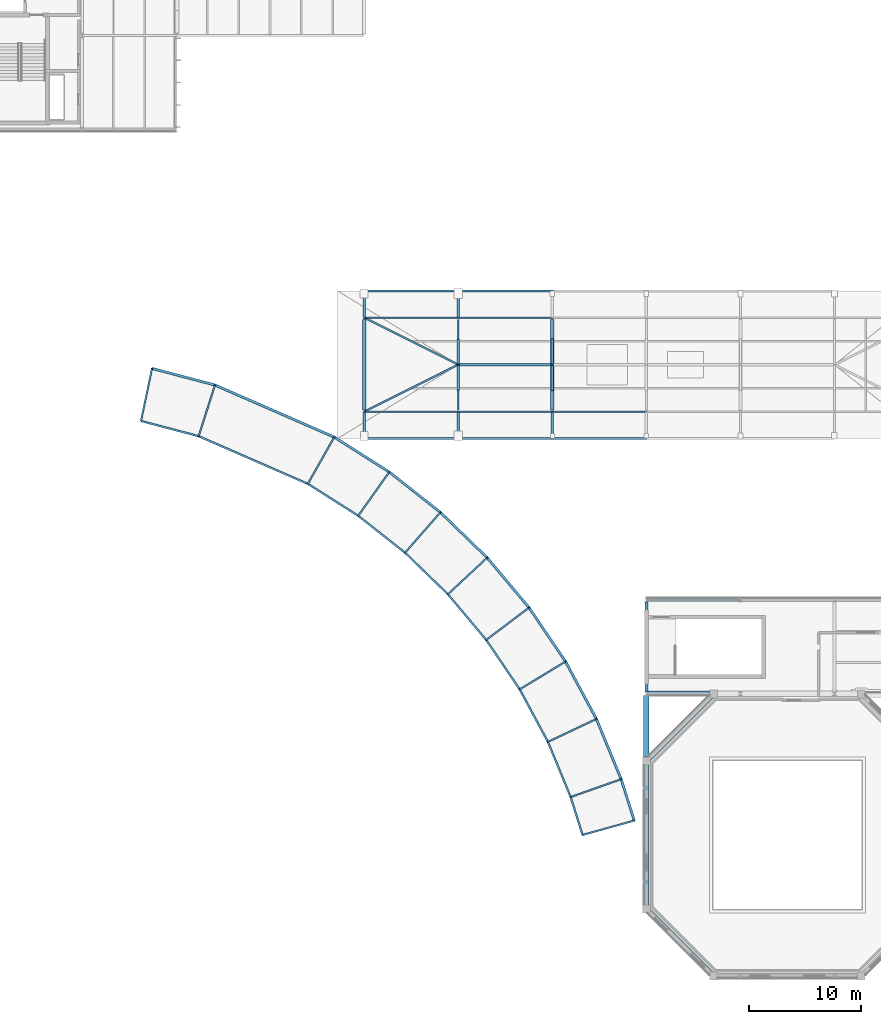
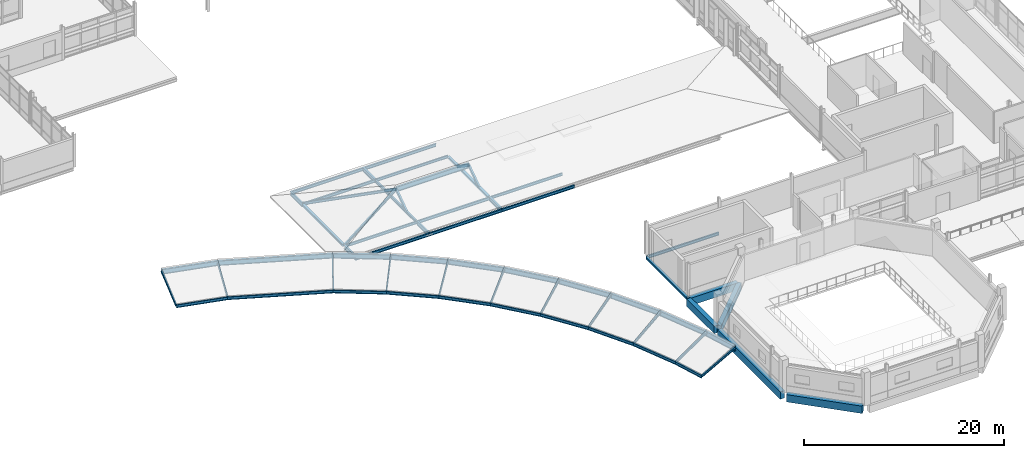
# One storey, part 14 of 151: 46 beams, 17 members.
"""IFC4 building model written with IfcOpenShell, lengths in metres."""

from ifc_helpers import new_model, si_unit, direction, frame, origin, origin_2d, place, context, subcontext, project, spatial, rectangle, hollow_rectangle, i_section, extrude, material, material_profile, profile_set, type_object, element, save


model = new_model("IFC4")

# Units and contexts
model_context = context("Model", 3, precision=1e-05, world=origin(), true_north=direction((0.0, 1.0)))
body_context = subcontext(model_context, "Body", "Model", "MODEL_VIEW")
ifc_project = project(units=[si_unit("LENGTHUNIT", "METRE"), si_unit("AREAUNIT", "SQUARE_METRE"), si_unit("VOLUMEUNIT", "CUBIC_METRE"), si_unit("PLANEANGLEUNIT", "RADIAN"), si_unit("MASSUNIT", "GRAM", prefix="KILO")], contexts=[model_context])

# Site, building, storey
site_placement = place(None, origin())
site = spatial("IfcSite", under=ifc_project, at=site_placement, CompositionType="ELEMENT")
building_placement = place(site_placement, origin())
building = spatial("IfcBuilding", under=site, at=building_placement, Name="Mersafa Astral City Hall", CompositionType="ELEMENT")
storey_placement = place(building_placement, frame((0.0, 0.0, 9.89990234375)))
storey = spatial("IfcBuildingStorey", under=building, at=storey_placement, Name="L02", CompositionType="ELEMENT", Elevation=9.89990234375)

# Beams
ifc_material_1 = material(Name="Concrete C40/50", Category="concrete")
ifc_material_profile_1 = material_profile(ifc_material_1, rectangle(XDim=0.5, YDim=0.89990234375, at=origin_2d()), Name="RC 500x900")
ifc_profile_set_1 = profile_set([ifc_material_profile_1], Name="Concrete C40/50")
beam_type_1 = type_object("IfcBeamType", Name="STR-BM-DRUM-RC500X900", PredefinedType="BEAM", material=ifc_profile_set_1)
beam_1_placement = place(storey_placement, frame((72.980712890625, 24.980712890625, -0.64990234375), z_axis=(-0.707106781187, -0.707106781187, 0.0), x_axis=(0.707106781187, -0.707106781187, 0.0)))
element("IfcBeam", 1, at=beam_1_placement, inside=storey, type_object=beam_type_1, Name="L02 Chamber drum ring beam 6", PredefinedType="BEAM", context=body_context, shape_type="SweptSolid", body=[
    extrude(rectangle(XDim=0.5, YDim=0.89990234375, at=origin_2d()), origin(), (0.0, 0.0, 1.0), 7.865234375),
])
beam_2_placement = place(storey_placement, frame((67.199951171875, 18.889892578125, -0.64990234375), z_axis=(0.0, -1.0, 0.0), x_axis=(1.0, 0.0, 0.0)))
element("IfcBeam", 2, at=beam_2_placement, inside=storey, type_object=beam_type_1, Name="L02 Chamber drum ring beam 7", PredefinedType="BEAM", context=body_context, shape_type="SweptSolid", body=[
    extrude(rectangle(XDim=0.5, YDim=0.89990234375, at=origin_2d()), origin(), (0.0, 0.0, 1.0), 12.579833984375),
])
beam_3_placement = place(storey_placement, frame((67.419189453125, 5.78076171875, -0.64990234375), z_axis=(0.707106781187, -0.707106781187, 0.0), x_axis=(0.707106781187, 0.707106781187, 0.0)))
element("IfcBeam", 3, at=beam_3_placement, inside=storey, type_object=beam_type_1, Name="L02 Chamber drum ring beam 8", PredefinedType="BEAM", context=body_context, shape_type="SweptSolid", body=[
    extrude(rectangle(XDim=0.5, YDim=0.89990234375, at=origin_2d()), origin(), (0.0, 0.0, 1.0), 7.865234375),
])
for number, where, z_axis, x_axis, name in (
    (4, (67.199951171875, 19.550048828125, -0.64990234375), (0.0, 1.0, 0.0), (-1.0, 0.0, 0.0), "L02 Chamber W frame tie beam"),
    (5, (67.35009765625, 25.199951171875, -0.64990234375), (1.0, 0.0, 0.0), (0.0, 1.0, 0.0), "L02 Chamber NW foyer tie beam"),
):
    element("IfcBeam", number, at=place(storey_placement, frame(where, z_axis=z_axis, x_axis=x_axis)), inside=storey, type_object=beam_type_1, Name=name, PredefinedType="BEAM", context=body_context, shape_type="SweptSolid", body=[
        extrude(rectangle(XDim=0.5, YDim=0.89990234375, at=origin_2d()), origin(), (0.0, 0.0, 1.0), 5.5),
    ])
ifc_material_2 = material(Name="Steel S355", Category="steel")
ifc_material_profile_2 = material_profile(ifc_material_2, i_section(OverallWidth=0.199951171875, OverallDepth=0.5, WebThickness=0.01025390625, FlangeThickness=0.01611328125, FilletRadius=0.02099609375, at=origin_2d()), Name="IPE 500")
ifc_profile_set_2 = profile_set([ifc_material_profile_2], Name="Steel S355")
beam_type_2 = type_object("IfcBeamType", Name="STR-BM-IPE500", PredefinedType="BEAM", material=ifc_profile_set_2)
for number, where, z_axis, x_axis, name in (
    (6, (42.0, 50.39990234375, -0.409912109375), (0.0, -1.0, 0.0), (1.0, 0.0, 0.0), "L02 Cantilevered eave beam ROOF-T3-V4S S-5"),
    (7, (42.0, 58.800048828125, -0.409912109375), (0.0, 1.0, 0.0), (-1.0, 0.0, 0.0), "L02 Cantilevered eave beam ROOF-T3-V4S N-5"),
    (8, (50.39990234375, 50.39990234375, -0.409912109375), (0.0, -1.0, 0.0), (1.0, 0.0, 0.0), "L02 Cantilevered eave beam ROOF-T3-V4S S-6"),
    (9, (50.39990234375, 58.800048828125, -0.409912109375), (0.0, 1.0, 0.0), (-1.0, 0.0, 0.0), "L02 Cantilevered eave beam ROOF-T3-V4S N-6"),
    (10, (58.800048828125, 50.39990234375, -0.409912109375), (0.0, -1.0, 0.0), (1.0, 0.0, 0.0), "L02 Cantilevered eave beam ROOF-T3-V4S S-7"),
):
    element("IfcBeam", number, at=place(storey_placement, frame(where, z_axis=z_axis, x_axis=x_axis)), inside=storey, type_object=beam_type_2, Name=name, PredefinedType="BEAM", context=body_context, shape_type="SweptSolid", body=[
        extrude(i_section(OverallWidth=0.199951171875, OverallDepth=0.5, WebThickness=0.01025390625, FlangeThickness=0.01611328125, FilletRadius=0.02099609375, at=origin_2d()), origin(), (0.0, 0.0, 1.0), 2.39990234375),
    ])
ifc_material_profile_3 = material_profile(ifc_material_2, i_section(OverallWidth=0.219970703125, OverallDepth=0.60009765625, WebThickness=0.011962890625, FlangeThickness=0.01904296875, FilletRadius=0.02392578125, at=origin_2d()), Name="IPE 600")
ifc_profile_set_3 = profile_set([ifc_material_profile_3], Name="Steel S355")
beam_type_3 = type_object("IfcBeamType", Name="STR-BM-IPE600", PredefinedType="BEAM", material=ifc_profile_set_3)
beam_4_placement = place(storey_placement, frame((23.047607421875, 54.273681640625, 0.795166015625), z_axis=(0.966950512339, -0.254964128237, 0.0), x_axis=(0.254964128237, 0.966950512339, 0.0)))
element("IfcBeam", 11, at=beam_4_placement, inside=storey, type_object=beam_type_3, Name="L02 Arcade inner ridge ring beam 1", PredefinedType="BEAM", context=body_context, shape_type="SweptSolid", body=[
    extrude(i_section(OverallWidth=0.219970703125, OverallDepth=0.60009765625, WebThickness=0.011962890625, FlangeThickness=0.01904296875, FilletRadius=0.02392578125, at=origin_2d()), origin(), (0.0, 0.0, 1.0), 5.819091796875),
])
beam_5_placement = place(storey_placement, frame((28.67431640625, 52.7900390625, 0.795166015625), z_axis=(0.91649639449, -0.400042946302, 0.0), x_axis=(0.400042946302, 0.91649639449, 0.0)))
element("IfcBeam", 12, at=beam_5_placement, inside=storey, type_object=beam_type_3, Name="L02 Arcade inner ridge ring beam 2", PredefinedType="BEAM", context=body_context, shape_type="SweptSolid", body=[
    extrude(i_section(OverallWidth=0.219970703125, OverallDepth=0.60009765625, WebThickness=0.011962890625, FlangeThickness=0.01904296875, FilletRadius=0.02392578125, at=origin_2d()), origin(), (0.0, 0.0, 1.0), 11.622802734375),
])
beam_6_placement = place(storey_placement, frame((39.32666015625, 48.140380859375, 0.795166015625), z_axis=(0.844429425634, -0.53566682287, 0.0), x_axis=(0.53566682287, 0.844429425634, 0.0)))
element("IfcBeam", 13, at=beam_6_placement, inside=storey, type_object=beam_type_3, Name="L02 Arcade inner ridge ring beam 3", PredefinedType="BEAM", context=body_context, shape_type="SweptSolid", body=[
    extrude(i_section(OverallWidth=0.219970703125, OverallDepth=0.60009765625, WebThickness=0.011962890625, FlangeThickness=0.01904296875, FilletRadius=0.02392578125, at=origin_2d()), origin(), (0.0, 0.0, 1.0), 5.81884765625),
])
beam_7_placement = place(storey_placement, frame((44.240234375, 45.0234375, 0.795166015625), z_axis=(0.785188741174, -0.619256522561, 0.0), x_axis=(0.619256522561, 0.785188741174, 0.0)))
element("IfcBeam", 14, at=beam_7_placement, inside=storey, type_object=beam_type_3, Name="L02 Arcade inner ridge ring beam 4", PredefinedType="BEAM", context=body_context, shape_type="SweptSolid", body=[
    extrude(i_section(OverallWidth=0.219970703125, OverallDepth=0.60009765625, WebThickness=0.011962890625, FlangeThickness=0.01904296875, FilletRadius=0.02392578125, at=origin_2d()), origin(), (0.0, 0.0, 1.0), 5.819091796875),
])
beam_8_placement = place(storey_placement, frame((48.809326171875, 41.419921875, 0.795166015625), z_axis=(0.717704026215, -0.696348282654, 0.0), x_axis=(0.696348282654, 0.717704026215, 0.0)))
element("IfcBeam", 15, at=beam_8_placement, inside=storey, type_object=beam_type_3, Name="L02 Arcade inner ridge ring beam 5", PredefinedType="BEAM", context=body_context, shape_type="SweptSolid", body=[
    extrude(i_section(OverallWidth=0.219970703125, OverallDepth=0.60009765625, WebThickness=0.011962890625, FlangeThickness=0.01904296875, FilletRadius=0.02392578125, at=origin_2d()), origin(), (0.0, 0.0, 1.0), 5.81884765625),
])
beam_9_placement = place(storey_placement, frame((52.985595703125, 37.367919921875, 0.795166015625), z_axis=(0.64271474837, -0.766105575118, 0.0), x_axis=(0.766105575118, 0.64271474837, 0.0)))
element("IfcBeam", 16, at=beam_9_placement, inside=storey, type_object=beam_type_3, Name="L02 Arcade inner ridge ring beam 6", PredefinedType="BEAM", context=body_context, shape_type="SweptSolid", body=[
    extrude(i_section(OverallWidth=0.219970703125, OverallDepth=0.60009765625, WebThickness=0.011962890625, FlangeThickness=0.01904296875, FilletRadius=0.02392578125, at=origin_2d()), origin(), (0.0, 0.0, 1.0), 5.819091796875),
])
beam_10_placement = place(storey_placement, frame((56.7255859375, 32.909912109375, 0.795166015625), z_axis=(0.560958537876, -0.827843897594, 0.0), x_axis=(0.827843897594, 0.560958537876, 0.0)))
element("IfcBeam", 17, at=beam_10_placement, inside=storey, type_object=beam_type_3, Name="L02 Arcade inner ridge ring beam 7", PredefinedType="BEAM", context=body_context, shape_type="SweptSolid", body=[
    extrude(i_section(OverallWidth=0.219970703125, OverallDepth=0.60009765625, WebThickness=0.011962890625, FlangeThickness=0.01904296875, FilletRadius=0.02392578125, at=origin_2d()), origin(), (0.0, 0.0, 1.0), 5.81884765625),
])
for number, where, z_axis, x_axis, name in (
    (18, (59.98974609375, 28.0927734375, 0.795166015625), (0.47330150892, -0.880900494752, 0.0), (0.880900494752, 0.47330150892, 0.0), "L02 Arcade inner ridge ring beam 8"),
    (19, (62.743896484375, 22.966796875, 0.795166015625), (0.380652736941, -0.924718061822, 0.0), (0.924718061822, 0.380652736941, 0.0), "L02 Arcade inner ridge ring beam 9"),
):
    element("IfcBeam", number, at=place(storey_placement, frame(where, z_axis=z_axis, x_axis=x_axis)), inside=storey, type_object=beam_type_3, Name=name, PredefinedType="BEAM", context=body_context, shape_type="SweptSolid", body=[
        extrude(i_section(OverallWidth=0.219970703125, OverallDepth=0.60009765625, WebThickness=0.011962890625, FlangeThickness=0.01904296875, FilletRadius=0.02392578125, at=origin_2d()), origin(), (0.0, 0.0, 1.0), 5.819091796875),
    ])
beam_11_placement = place(storey_placement, frame((64.958984375, 17.585693359375, 0.795166015625), z_axis=(0.300498946627, -0.953782146549, 0.0), x_axis=(0.953782146549, 0.300498946627, 0.0)))
element("IfcBeam", 20, at=beam_11_placement, inside=storey, type_object=beam_type_3, Name="L02 Arcade inner ridge ring beam 10", PredefinedType="BEAM", context=body_context, shape_type="SweptSolid", body=[
    extrude(i_section(OverallWidth=0.219970703125, OverallDepth=0.60009765625, WebThickness=0.011962890625, FlangeThickness=0.01904296875, FilletRadius=0.02392578125, at=origin_2d()), origin(), (0.0, 0.0, 1.0), 3.88037109375),
])
beam_12_placement = place(storey_placement, frame((50.39990234375, 54.60009765625, 1.114501953125), z_axis=(1.0, 0.0, 0.0), x_axis=(0.0, 1.0, 0.0)))
element("IfcBeam", 21, at=beam_12_placement, inside=storey, type_object=beam_type_3, Name="L02 Hipped roof ridge beam ROOF-T3-V4S-1", PredefinedType="BEAM", context=body_context, shape_type="SweptSolid", body=[
    extrude(i_section(OverallWidth=0.219970703125, OverallDepth=0.60009765625, WebThickness=0.011962890625, FlangeThickness=0.01904296875, FilletRadius=0.02392578125, at=origin_2d()), origin(), (0.0, 0.0, 1.0), 8.400146484375),
])
ifc_material_profile_4 = material_profile(ifc_material_2, i_section(OverallWidth=0.280029296875, OverallDepth=0.27001953125, WebThickness=0.008056640625, FlangeThickness=0.012939453125, FilletRadius=0.02392578125, at=origin_2d()), Name="HEA 280")
ifc_profile_set_4 = profile_set([ifc_material_profile_4], Name="Steel S355")
beam_type_4 = type_object("IfcBeamType", Name="STR-BM-SPANDREL-HEA280", PredefinedType="SPANDREL", material=ifc_profile_set_4)
for number, where, z_axis, x_axis, name in (
    (22, (42.0, 50.544921875, -0.3349609375), (0.0, 1.0, 0.0), (-1.0, 0.0, 0.0), "L02 Primary girder Y 5-6"),
    (23, (58.800048828125, 50.544921875, -0.3349609375), (0.0, 1.0, 0.0), (-1.0, 0.0, 0.0), "L02 Primary girder Y 7-6"),
):
    element("IfcBeam", number, at=place(storey_placement, frame(where, z_axis=z_axis, x_axis=x_axis)), inside=storey, type_object=beam_type_4, Name=name, PredefinedType="SPANDREL", context=body_context, shape_type="SweptSolid", body=[
        extrude(i_section(OverallWidth=0.280029296875, OverallDepth=0.27001953125, WebThickness=0.008056640625, FlangeThickness=0.012939453125, FilletRadius=0.02392578125, at=origin_2d()), origin(), (0.0, 0.0, 1.0), 8.110107421875),
    ])
beam_13_placement = place(storey_placement, frame((67.199951171875, 25.364990234375, -0.3349609375), z_axis=(0.0, 1.0, 0.0), x_axis=(-1.0, 0.0, 0.0)))
element("IfcBeam", 24, at=beam_13_placement, inside=storey, type_object=beam_type_4, Name="L02 Primary girder Y 8-3", PredefinedType="SPANDREL", context=body_context, shape_type="SweptSolid", body=[
    extrude(i_section(OverallWidth=0.280029296875, OverallDepth=0.27001953125, WebThickness=0.008056640625, FlangeThickness=0.012939453125, FilletRadius=0.02392578125, at=origin_2d()), origin(), (0.0, 0.0, 1.0), 8.06005859375),
])
ifc_material_profile_5 = material_profile(ifc_material_2, i_section(OverallWidth=0.159912109375, OverallDepth=0.330078125, WebThickness=0.007568359375, FlangeThickness=0.011474609375, FilletRadius=0.01806640625, at=origin_2d()), Name="IPE 330")
ifc_profile_set_5 = profile_set([ifc_material_profile_5], Name="Steel S355")
beam_type_5 = type_object("IfcBeamType", Name="STR-BM-SPANDREL-IPE330", PredefinedType="SPANDREL", material=ifc_profile_set_5)
for number, where, z_axis, x_axis, name in (
    (25, (42.0029296875, 50.39990234375, -0.364990234375), (1.0, 0.0, 0.0), (0.0, 1.0, 0.0), "L02 Primary girder X 5-6"),
    (26, (58.802978515625, 50.39990234375, -0.364990234375), (1.0, 0.0, 0.0), (0.0, 1.0, 0.0), "L02 Primary girder X 7-6"),
    (27, (50.403076171875, 58.800048828125, -0.364990234375), (1.0, 0.0, 0.0), (0.0, 1.0, 0.0), "L02 Primary girder X 6-7"),
):
    element("IfcBeam", number, at=place(storey_placement, frame(where, z_axis=z_axis, x_axis=x_axis)), inside=storey, type_object=beam_type_5, Name=name, PredefinedType="SPANDREL", context=body_context, shape_type="SweptSolid", body=[
        extrude(i_section(OverallWidth=0.159912109375, OverallDepth=0.330078125, WebThickness=0.007568359375, FlangeThickness=0.011474609375, FilletRadius=0.01806640625, at=origin_2d()), origin(), (0.0, 0.0, 1.0), 8.39404296875),
    ])
ifc_material_profile_6 = material_profile(ifc_material_2, i_section(OverallWidth=0.169921875, OverallDepth=0.360107421875, WebThickness=0.008056640625, FlangeThickness=0.0126953125, FilletRadius=0.01806640625, at=origin_2d()), Name="IPE 360")
ifc_profile_set_6 = profile_set([ifc_material_profile_6], Name="Steel S355")
beam_type_6 = type_object("IfcBeamType", Name="STR-BM-SPANDREL-IPE360", PredefinedType="SPANDREL", material=ifc_profile_set_6)
for number, where, z_axis, x_axis, name in (
    (28, (67.202880859375, 33.60009765625, -0.3798828125), (1.0, 0.0, 0.0), (0.0, 1.0, 0.0), "L02 Primary girder X 8-4"),
    (29, (50.403076171875, 50.39990234375, -0.3798828125), (1.0, 0.0, 0.0), (0.0, 1.0, 0.0), "L02 Primary girder X 6-6"),
    (30, (42.0029296875, 58.800048828125, -0.3798828125), (1.0, 0.0, 0.0), (0.0, 1.0, 0.0), "L02 Primary girder X 5-7"),
):
    element("IfcBeam", number, at=place(storey_placement, frame(where, z_axis=z_axis, x_axis=x_axis)), inside=storey, type_object=beam_type_6, Name=name, PredefinedType="SPANDREL", context=body_context, shape_type="SweptSolid", body=[
        extrude(i_section(OverallWidth=0.169921875, OverallDepth=0.360107421875, WebThickness=0.008056640625, FlangeThickness=0.0126953125, FilletRadius=0.01806640625, at=origin_2d()), origin(), (0.0, 0.0, 1.0), 8.39404296875),
    ])
beam_14_placement = place(storey_placement, frame((50.39990234375, 50.544921875, -0.3798828125), z_axis=(0.0, 1.0, 0.0), x_axis=(-1.0, 0.0, 0.0)))
element("IfcBeam", 31, at=beam_14_placement, inside=storey, type_object=beam_type_6, Name="L02 Primary girder Y 6-6", PredefinedType="SPANDREL", context=body_context, shape_type="SweptSolid", body=[
    extrude(i_section(OverallWidth=0.169921875, OverallDepth=0.360107421875, WebThickness=0.008056640625, FlangeThickness=0.0126953125, FilletRadius=0.01806640625, at=origin_2d()), origin(), (0.0, 0.0, 1.0), 8.110107421875),
])
beam_15_placement = place(storey_placement, frame((22.06298828125, 49.57568359375, -0.219970703125), z_axis=(0.966957492264, -0.254937655425, 0.0), x_axis=(0.254937655425, 0.966957492264, 0.0)))
element("IfcBeam", 32, at=beam_15_placement, inside=storey, type_object=beam_type_6, Name="L02 Arcade outer eave ring beam 1", PredefinedType="SPANDREL", context=body_context, shape_type="SweptSolid", body=[
    extrude(i_section(OverallWidth=0.169921875, OverallDepth=0.360107421875, WebThickness=0.008056640625, FlangeThickness=0.0126953125, FilletRadius=0.01806640625, at=origin_2d()), origin(), (0.0, 0.0, 1.0), 5.327392578125),
])
beam_16_placement = place(storey_placement, frame((27.21435546875, 48.217529296875, -0.219970703125), z_axis=(0.916498237671, -0.400038723558, 0.0), x_axis=(0.400038723558, 0.916498237671, 0.0)))
element("IfcBeam", 33, at=beam_16_placement, inside=storey, type_object=beam_type_6, Name="L02 Arcade outer eave ring beam 2", PredefinedType="SPANDREL", context=body_context, shape_type="SweptSolid", body=[
    extrude(i_section(OverallWidth=0.169921875, OverallDepth=0.360107421875, WebThickness=0.008056640625, FlangeThickness=0.0126953125, FilletRadius=0.01806640625, at=origin_2d()), origin(), (0.0, 0.0, 1.0), 10.640380859375),
])
beam_17_placement = place(storey_placement, frame((36.96630859375, 43.9609375, -0.219970703125), z_axis=(0.844421111537, -0.535679929054, 0.0), x_axis=(0.535679929054, 0.844421111537, 0.0)))
element("IfcBeam", 34, at=beam_17_placement, inside=storey, type_object=beam_type_6, Name="L02 Arcade outer eave ring beam 3", PredefinedType="SPANDREL", context=body_context, shape_type="SweptSolid", body=[
    extrude(i_section(OverallWidth=0.169921875, OverallDepth=0.360107421875, WebThickness=0.008056640625, FlangeThickness=0.0126953125, FilletRadius=0.01806640625, at=origin_2d()), origin(), (0.0, 0.0, 1.0), 5.327392578125),
])
beam_18_placement = place(storey_placement, frame((41.46484375, 41.107177734375, -0.219970703125), z_axis=(0.785195885273, -0.619247464064, 0.0), x_axis=(0.619247464064, 0.785195885273, 0.0)))
element("IfcBeam", 35, at=beam_18_placement, inside=storey, type_object=beam_type_6, Name="L02 Arcade outer eave ring beam 4", PredefinedType="SPANDREL", context=body_context, shape_type="SweptSolid", body=[
    extrude(i_section(OverallWidth=0.169921875, OverallDepth=0.360107421875, WebThickness=0.008056640625, FlangeThickness=0.0126953125, FilletRadius=0.01806640625, at=origin_2d()), origin(), (0.0, 0.0, 1.0), 5.3271484375),
])
beam_19_placement = place(storey_placement, frame((45.647705078125, 37.808349609375, -0.219970703125), z_axis=(0.717703955253, -0.696348355792, 0.0), x_axis=(0.696348355792, 0.717703955253, 0.0)))
element("IfcBeam", 36, at=beam_19_placement, inside=storey, type_object=beam_type_6, Name="L02 Arcade outer eave ring beam 5", PredefinedType="SPANDREL", context=body_context, shape_type="SweptSolid", body=[
    extrude(i_section(OverallWidth=0.169921875, OverallDepth=0.360107421875, WebThickness=0.008056640625, FlangeThickness=0.0126953125, FilletRadius=0.01806640625, at=origin_2d()), origin(), (0.0, 0.0, 1.0), 5.327392578125),
])
for number, where, z_axis, x_axis, name in (
    (37, (49.47119140625, 34.0986328125, -0.219970703125), (0.642700779462, -0.766117293943, 0.0), (0.766117293943, 0.642700779462, 0.0), "L02 Arcade outer eave ring beam 6"),
    (38, (52.89501953125, 30.017333984375, -0.219970703125), (0.560945421419, -0.827852785336, 0.0), (0.827852785336, 0.560945421419, 0.0), "L02 Arcade outer eave ring beam 7"),
):
    element("IfcBeam", number, at=place(storey_placement, frame(where, z_axis=z_axis, x_axis=x_axis)), inside=storey, type_object=beam_type_6, Name=name, PredefinedType="SPANDREL", context=body_context, shape_type="SweptSolid", body=[
        extrude(i_section(OverallWidth=0.169921875, OverallDepth=0.360107421875, WebThickness=0.008056640625, FlangeThickness=0.0126953125, FilletRadius=0.01806640625, at=origin_2d()), origin(), (0.0, 0.0, 1.0), 5.3271484375),
    ])
beam_20_placement = place(storey_placement, frame((55.88330078125, 25.607177734375, -0.219970703125), z_axis=(0.473307108379, -0.88089748618, 0.0), x_axis=(0.88089748618, 0.473307108379, 0.0)))
element("IfcBeam", 39, at=beam_20_placement, inside=storey, type_object=beam_type_6, Name="L02 Arcade outer eave ring beam 8", PredefinedType="SPANDREL", context=body_context, shape_type="SweptSolid", body=[
    extrude(i_section(OverallWidth=0.169921875, OverallDepth=0.360107421875, WebThickness=0.008056640625, FlangeThickness=0.0126953125, FilletRadius=0.01806640625, at=origin_2d()), origin(), (0.0, 0.0, 1.0), 5.327392578125),
])
beam_21_placement = place(storey_placement, frame((58.40478515625, 20.914306640625, -0.219970703125), z_axis=(0.380703704337, -0.924697079861, 0.0), x_axis=(0.924697079861, 0.380703704337, 0.0)))
element("IfcBeam", 40, at=beam_21_placement, inside=storey, type_object=beam_type_6, Name="L02 Arcade outer eave ring beam 9", PredefinedType="SPANDREL", context=body_context, shape_type="SweptSolid", body=[
    extrude(i_section(OverallWidth=0.169921875, OverallDepth=0.360107421875, WebThickness=0.008056640625, FlangeThickness=0.0126953125, FilletRadius=0.01806640625, at=origin_2d()), origin(), (0.0, 0.0, 1.0), 5.3271484375),
])
beam_22_placement = place(storey_placement, frame((60.432861328125, 15.98828125, -0.219970703125), z_axis=(0.300410934376, -0.953809871257, 0.0), x_axis=(0.953809871257, 0.300410934376, 0.0)))
element("IfcBeam", 41, at=beam_22_placement, inside=storey, type_object=beam_type_6, Name="L02 Arcade outer eave ring beam 10", PredefinedType="SPANDREL", context=body_context, shape_type="SweptSolid", body=[
    extrude(i_section(OverallWidth=0.169921875, OverallDepth=0.360107421875, WebThickness=0.008056640625, FlangeThickness=0.0126953125, FilletRadius=0.01806640625, at=origin_2d()), origin(), (0.0, 0.0, 1.0), 3.55224609375),
])
beam_23_placement = place(storey_placement, frame((42.0, 48.0, -0.409912109375), z_axis=(1.0, 0.0, 0.0), x_axis=(0.0, 1.0, 0.0)))
element("IfcBeam", 42, at=beam_23_placement, inside=storey, type_object=beam_type_6, Name="L02 Hipped roof eave fascia beam ROOF-T3-V4S S-1", PredefinedType="SPANDREL", context=body_context, shape_type="SweptSolid", body=[
    extrude(i_section(OverallWidth=0.169921875, OverallDepth=0.360107421875, WebThickness=0.008056640625, FlangeThickness=0.0126953125, FilletRadius=0.01806640625, at=origin_2d()), origin(), (0.0, 0.0, 1.0), 8.39990234375),
])
beam_24_placement = place(storey_placement, frame((50.39990234375, 48.0, -0.409912109375), z_axis=(1.0, 0.0, 0.0), x_axis=(0.0, 1.0, 0.0)))
element("IfcBeam", 43, at=beam_24_placement, inside=storey, type_object=beam_type_6, Name="L02 Hipped roof eave fascia beam ROOF-T3-V4S S-2", PredefinedType="SPANDREL", context=body_context, shape_type="SweptSolid", body=[
    extrude(i_section(OverallWidth=0.169921875, OverallDepth=0.360107421875, WebThickness=0.008056640625, FlangeThickness=0.0126953125, FilletRadius=0.01806640625, at=origin_2d()), origin(), (0.0, 0.0, 1.0), 8.400146484375),
])
for number, where, z_axis, x_axis, name in (
    (44, (58.800048828125, 48.0, -0.409912109375), (1.0, 0.0, 0.0), (0.0, 1.0, 0.0), "L02 Hipped roof eave fascia beam ROOF-T3-V4S S-3"),
    (45, (42.0, 61.199951171875, -0.409912109375), (1.0, 0.0, 0.0), (0.0, 1.0, 0.0), "L02 Hipped roof eave fascia beam ROOF-T3-V4S N-1"),
):
    element("IfcBeam", number, at=place(storey_placement, frame(where, z_axis=z_axis, x_axis=x_axis)), inside=storey, type_object=beam_type_6, Name=name, PredefinedType="SPANDREL", context=body_context, shape_type="SweptSolid", body=[
        extrude(i_section(OverallWidth=0.169921875, OverallDepth=0.360107421875, WebThickness=0.008056640625, FlangeThickness=0.0126953125, FilletRadius=0.01806640625, at=origin_2d()), origin(), (0.0, 0.0, 1.0), 8.39990234375),
    ])
beam_25_placement = place(storey_placement, frame((50.39990234375, 61.199951171875, -0.409912109375), z_axis=(1.0, 0.0, 0.0), x_axis=(0.0, 1.0, 0.0)))
element("IfcBeam", 46, at=beam_25_placement, inside=storey, type_object=beam_type_6, Name="L02 Hipped roof eave fascia beam ROOF-T3-V4S N-2", PredefinedType="SPANDREL", context=body_context, shape_type="SweptSolid", body=[
    extrude(i_section(OverallWidth=0.169921875, OverallDepth=0.360107421875, WebThickness=0.008056640625, FlangeThickness=0.0126953125, FilletRadius=0.01806640625, at=origin_2d()), origin(), (0.0, 0.0, 1.0), 8.400146484375),
])

# Members
ifc_material_profile_7 = material_profile(ifc_material_2, i_section(OverallWidth=0.14990234375, OverallDepth=0.300048828125, WebThickness=0.007080078125, FlangeThickness=0.0107421875, FilletRadius=0.014892578125, at=origin_2d()), Name="IPE 300")
ifc_profile_set_7 = profile_set([ifc_material_profile_7], Name="Steel S355")
member_type_1 = type_object("IfcMemberType", Name="STR-MBR-RAFTER-IPE300", PredefinedType="RAFTER", material=ifc_profile_set_7)
member_1_placement = place(storey_placement, frame((22.06298828125, 49.57568359375, -0.14990234375), z_axis=(0.199851105586, 0.953566780262, 0.225321839103), x_axis=(-0.97873556422, 0.20512604742, 0.0)))
element("IfcMember", 47, at=member_1_placement, inside=storey, type_object=member_type_1, Name="L02 Arcade radial canopy rafter 1", PredefinedType="RAFTER", context=body_context, shape_type="SweptSolid", body=[
    extrude(i_section(OverallWidth=0.14990234375, OverallDepth=0.300048828125, WebThickness=0.007080078125, FlangeThickness=0.0107421875, FilletRadius=0.014892578125, at=origin_2d()), origin(), (0.0, 0.0, 1.0), 4.9267578125),
])
for number, where, z_axis, x_axis, name in (
    (48, (27.21435546875, 48.217529296875, -0.14990234375), (0.296340771214, 0.928121455529, 0.225328007811), (-0.952620021379, 0.304162941313, 0.0), "L02 Arcade radial canopy rafter 2"),
    (49, (36.96630859375, 43.9609375, -0.14990234375), (0.479103974871, 0.848343085004, 0.22532951735), (-0.870736144012, 0.491750513483, 0.0), "L02 Arcade radial canopy rafter 3"),
):
    element("IfcMember", number, at=place(storey_placement, frame(where, z_axis=z_axis, x_axis=x_axis)), inside=storey, type_object=member_type_1, Name=name, PredefinedType="RAFTER", context=body_context, shape_type="SweptSolid", body=[
        extrude(i_section(OverallWidth=0.14990234375, OverallDepth=0.300048828125, WebThickness=0.007080078125, FlangeThickness=0.0107421875, FilletRadius=0.014892578125, at=origin_2d()), origin(), (0.0, 0.0, 1.0), 4.926513671875),
    ])
member_2_placement = place(storey_placement, frame((41.46484375, 41.107177734375, -0.14990234375), z_axis=(0.563338389281, 0.794907732447, 0.225325444763), x_axis=(-0.815889510849, 0.578207839869, 0.0)))
element("IfcMember", 50, at=member_2_placement, inside=storey, type_object=member_type_1, Name="L02 Arcade radial canopy rafter 4", PredefinedType="RAFTER", context=body_context, shape_type="SweptSolid", body=[
    extrude(i_section(OverallWidth=0.14990234375, OverallDepth=0.300048828125, WebThickness=0.007080078125, FlangeThickness=0.0107421875, FilletRadius=0.014892578125, at=origin_2d()), origin(), (0.0, 0.0, 1.0), 4.9267578125),
])
for number, where, z_axis, x_axis, name in (
    (51, (45.647705078125, 37.808349609375, -0.14990234375), (0.641741689892, 0.733072186763, 0.225328143934), (-0.752422283347, 0.658681036256, 0.0), "L02 Arcade radial canopy rafter 5"),
    (52, (49.47119140625, 34.0986328125, -0.14990234375), (0.713349548332, 0.663595957048, 0.2253282665), (-0.681112186174, 0.732179069522, 0.0), "L02 Arcade radial canopy rafter 6"),
):
    element("IfcMember", number, at=place(storey_placement, frame(where, z_axis=z_axis, x_axis=x_axis)), inside=storey, type_object=member_type_1, Name=name, PredefinedType="RAFTER", context=body_context, shape_type="SweptSolid", body=[
        extrude(i_section(OverallWidth=0.14990234375, OverallDepth=0.300048828125, WebThickness=0.007080078125, FlangeThickness=0.0107421875, FilletRadius=0.014892578125, at=origin_2d()), origin(), (0.0, 0.0, 1.0), 4.926513671875),
    ])
for number, where, z_axis, x_axis, name in (
    (53, (52.89501953125, 30.017333984375, -0.14990234375), (0.77750819306, 0.587120272235, 0.225323757415), (-0.602617209902, 0.798030386846, 0.0), "L02 Arcade radial canopy rafter 7"),
    (54, (55.88330078125, 25.607177734375, -0.14990234375), (0.833490357244, 0.504504478424, 0.225319896218), (-0.517820311949, 0.855489406441, 0.0), "L02 Arcade radial canopy rafter 8"),
    (55, (58.40478515625, 20.914306640625, -0.14990234375), (0.88072350266, 0.416600601298, 0.225322104687), (-0.427596534098, 0.903969691985, 0.0), "L02 Arcade radial canopy rafter 9"),
):
    element("IfcMember", number, at=place(storey_placement, frame(where, z_axis=z_axis, x_axis=x_axis)), inside=storey, type_object=member_type_1, Name=name, PredefinedType="RAFTER", context=body_context, shape_type="SweptSolid", body=[
        extrude(i_section(OverallWidth=0.14990234375, OverallDepth=0.300048828125, WebThickness=0.007080078125, FlangeThickness=0.0107421875, FilletRadius=0.014892578125, at=origin_2d()), origin(), (0.0, 0.0, 1.0), 4.9267578125),
    ])
member_3_placement = place(storey_placement, frame((60.432861328125, 15.98828125, -0.14990234375), z_axis=(0.918740320707, 0.324252544279, 0.225336438765), x_axis=(-0.332812135772, 0.942993150708, 0.0)))
element("IfcMember", 56, at=member_3_placement, inside=storey, type_object=member_type_1, Name="L02 Arcade radial canopy rafter 10", PredefinedType="RAFTER", context=body_context, shape_type="SweptSolid", body=[
    extrude(i_section(OverallWidth=0.14990234375, OverallDepth=0.300048828125, WebThickness=0.007080078125, FlangeThickness=0.0107421875, FilletRadius=0.014892578125, at=origin_2d()), origin(), (0.0, 0.0, 1.0), 4.926513671875),
])
member_4_placement = place(storey_placement, frame((61.5, 12.60009765625, -0.14990234375), z_axis=(0.938743644468, 0.260751111549, 0.225320278262), x_axis=(-0.267633370847, 0.963520824274, 0.0)))
element("IfcMember", 57, at=member_4_placement, inside=storey, type_object=member_type_1, Name="L02 Arcade radial canopy rafter 11", PredefinedType="RAFTER", context=body_context, shape_type="SweptSolid", body=[
    extrude(i_section(OverallWidth=0.14990234375, OverallDepth=0.300048828125, WebThickness=0.007080078125, FlangeThickness=0.0107421875, FilletRadius=0.014892578125, at=origin_2d()), origin(), (0.0, 0.0, 1.0), 4.9267578125),
])
ifc_material_profile_8 = material_profile(ifc_material_2, i_section(OverallWidth=0.159912109375, OverallDepth=0.330078125, WebThickness=0.007568359375, FlangeThickness=0.011474609375, FilletRadius=0.01806640625, at=origin_2d()), Name="IPE 330")
ifc_profile_set_8 = profile_set([ifc_material_profile_8], Name="Steel S355")
member_type_2 = type_object("IfcMemberType", Name="STR-MBR-RAFTER-IPE330", PredefinedType="RAFTER", material=ifc_profile_set_8)
for number, where, z_axis, x_axis, name in (
    (58, (42.0, 50.39990234375, -0.25), (0.885123288192, 0.442587369937, 0.143781725795), (-0.447234392142, 0.894416792377, 0.0), "L02 Hipped roof corner hip rafter ROOF-T3-V4S-1"),
    (59, (42.0, 58.800048828125, -0.25), (0.885133366025, -0.442566683012, 0.143783362864), (0.4472135955, 0.894427191, 0.0), "L02 Hipped roof corner hip rafter ROOF-T3-V4S-4"),
):
    element("IfcMember", number, at=place(storey_placement, frame(where, z_axis=z_axis, x_axis=x_axis)), inside=storey, type_object=member_type_2, Name=name, PredefinedType="RAFTER", context=body_context, shape_type="SweptSolid", body=[
        extrude(i_section(OverallWidth=0.159912109375, OverallDepth=0.330078125, WebThickness=0.007568359375, FlangeThickness=0.011474609375, FilletRadius=0.01806640625, at=origin_2d()), origin(), (0.0, 0.0, 1.0), 9.489990234375),
    ])
ifc_material_profile_9 = material_profile(ifc_material_2, hollow_rectangle(XDim=0.199951171875, YDim=0.300048828125, WallThickness=0.012451171875, at=origin_2d()), Name="RHS 200x300x12.5")
ifc_profile_set_9 = profile_set([ifc_material_profile_9], Name="Steel S355")
member_type_3 = type_object("IfcMemberType", Name="STR-MBR-STRUT-RHS200X300", PredefinedType="BRACE", material=ifc_profile_set_9)
member_5_placement = place(storey_placement, frame((50.39990234375, 52.36572265625, -0.419921875), z_axis=(0.0, 0.824336158678, 0.566100607221), x_axis=(-1.0, 0.0, 0.0)))
element("IfcMember", 60, at=member_5_placement, inside=storey, type_object=member_type_3, Name="L02 Roof ridge raked A-strut ROOF-T3-V4S-1A", PredefinedType="BRACE", context=body_context, shape_type="SweptSolid", body=[
    extrude(hollow_rectangle(XDim=0.199951171875, YDim=0.300048828125, WallThickness=0.012451171875, at=origin_2d()), origin(), (0.0, 0.0, 1.0), 2.71044921875),
])
member_6_placement = place(storey_placement, frame((50.39990234375, 56.834228515625, -0.419921875), z_axis=(0.0, -0.824307290196, 0.566142642212), x_axis=(1.0, 0.0, 0.0)))
element("IfcMember", 61, at=member_6_placement, inside=storey, type_object=member_type_3, Name="L02 Roof ridge raked A-strut ROOF-T3-V4S-1B", PredefinedType="BRACE", context=body_context, shape_type="SweptSolid", body=[
    extrude(hollow_rectangle(XDim=0.199951171875, YDim=0.300048828125, WallThickness=0.012451171875, at=origin_2d()), origin(), (0.0, 0.0, 1.0), 2.710205078125),
])
member_7_placement = place(storey_placement, frame((58.800048828125, 52.36572265625, -0.419921875), z_axis=(0.0, 0.824336158678, 0.566100607221), x_axis=(-1.0, 0.0, 0.0)))
element("IfcMember", 62, at=member_7_placement, inside=storey, type_object=member_type_3, Name="L02 Roof ridge raked A-strut ROOF-T3-V4S-2A", PredefinedType="BRACE", context=body_context, shape_type="SweptSolid", body=[
    extrude(hollow_rectangle(XDim=0.199951171875, YDim=0.300048828125, WallThickness=0.012451171875, at=origin_2d()), origin(), (0.0, 0.0, 1.0), 2.71044921875),
])
member_8_placement = place(storey_placement, frame((58.800048828125, 56.834228515625, -0.419921875), z_axis=(0.0, -0.824307290196, 0.566142642212), x_axis=(1.0, 0.0, 0.0)))
element("IfcMember", 63, at=member_8_placement, inside=storey, type_object=member_type_3, Name="L02 Roof ridge raked A-strut ROOF-T3-V4S-2B", PredefinedType="BRACE", context=body_context, shape_type="SweptSolid", body=[
    extrude(hollow_rectangle(XDim=0.199951171875, YDim=0.300048828125, WallThickness=0.012451171875, at=origin_2d()), origin(), (0.0, 0.0, 1.0), 2.710205078125),
])

save(model, "model.ifc")
